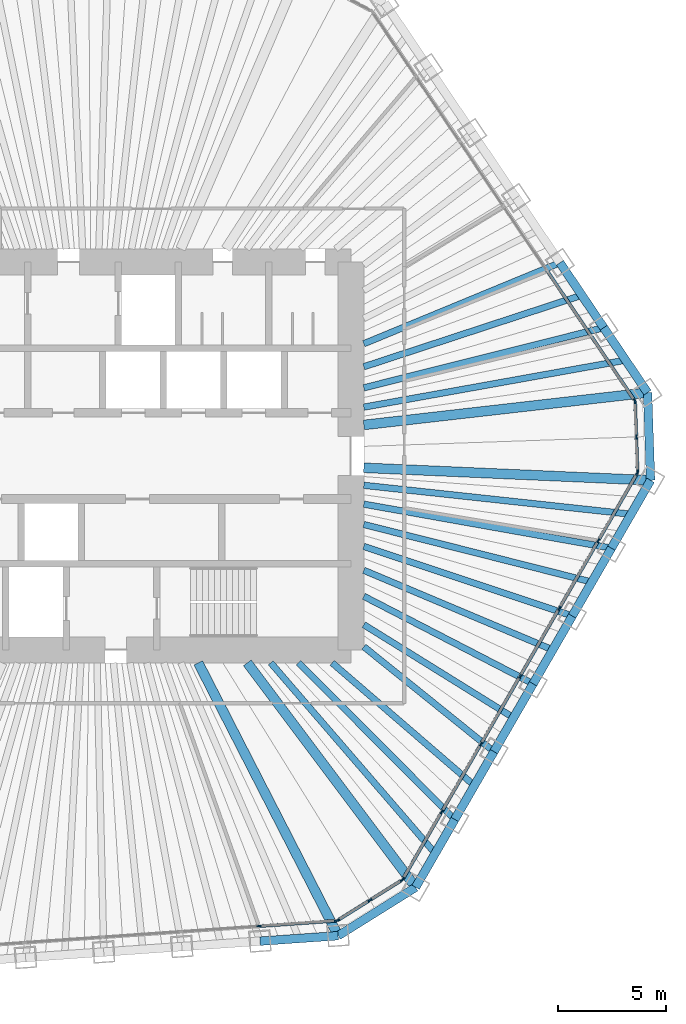
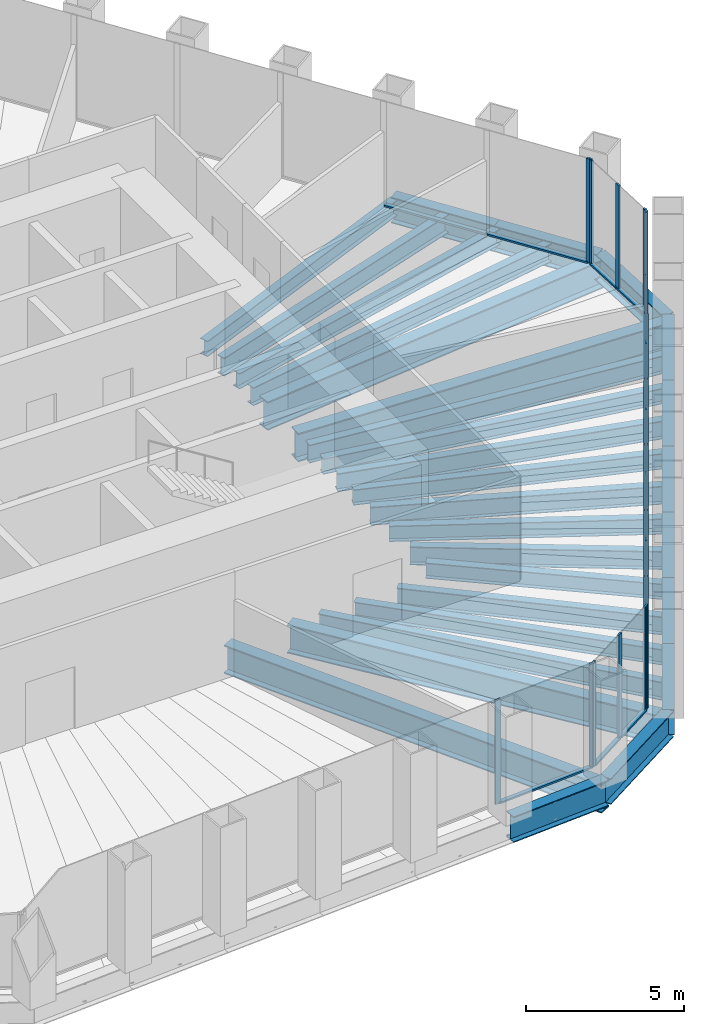
# One storey, part 4 of 13: 30 beams, 29 members, 5 elements without a shape of their own.
"""IFC4 building model written with IfcOpenShell, lengths in metres."""

from ifc_helpers import new_model, si_unit, direction, frame, origin, origin_2d, place, context, subcontext, project, spatial, rectangle, i_section, extrude, material, material_profile, profile_set, type_object, element, aggregate, save


model = new_model("IFC4")

# Units and contexts
model_context = context("Model", 3, precision=1e-05, world=origin(), true_north=direction((0.0, 1.0)))
body_context = subcontext(model_context, "Body", "Model", "MODEL_VIEW")
ifc_project = project(units=[si_unit("LENGTHUNIT", "METRE"), si_unit("AREAUNIT", "SQUARE_METRE"), si_unit("VOLUMEUNIT", "CUBIC_METRE"), si_unit("PLANEANGLEUNIT", "RADIAN"), si_unit("MASSUNIT", "GRAM", prefix="KILO")], contexts=[model_context])

# Site, building, storey
site_placement = place(None, origin())
site = spatial("IfcSite", under=ifc_project, at=site_placement, CompositionType="ELEMENT")
building_placement = place(site_placement, origin())
building = spatial("IfcBuilding", under=site, at=building_placement, Name="Qingtian Harvest Tower", CompositionType="ELEMENT")
storey_placement = place(building_placement, frame((0.0, 0.0, 247.60009765625)))
storey = spatial("IfcBuildingStorey", under=building, at=storey_placement, Name="L54", CompositionType="ELEMENT", Elevation=247.60009765625)

# Beams
ifc_material_1 = material(Name="Steel SM570MC", Category="steel")
ifc_material_profile_1 = material_profile(ifc_material_1, i_section(OverallWidth=0.449951171875, OverallDepth=1.10009765625, WebThickness=0.02197265625, FlangeThickness=0.044921875, at=origin_2d()), Name="H1100x450x22x45")
ifc_profile_set_1 = profile_set([ifc_material_profile_1], Name="Steel SM570MC")
beam_type_1 = type_object("IfcBeamType", Name="Corner floor beam FB8 H1100x450x22x45", PredefinedType="BEAM", material=ifc_profile_set_1)
beam_1_placement = place(storey_placement, frame((25.762451171875, 2.936279296875, -0.72021484375), z_axis=(-0.993566901619, -0.113246686522, 0.0), x_axis=(0.113246686522, -0.993566901619, 0.0)))
element("IfcBeam", 1, at=beam_1_placement, inside=storey, type_object=beam_type_1, Name="Floor beam FB8 NE6", PredefinedType="BEAM", context=body_context, shape_type="SweptSolid", body=[
    extrude(i_section(OverallWidth=0.449951171875, OverallDepth=1.10009765625, WebThickness=0.02197265625, FlangeThickness=0.044921875, at=origin_2d()), origin(), (0.0, 0.0, 1.0), 13.24755859375),
])
beam_2_placement = place(storey_placement, frame((25.904541015625, -1.1318359375, -0.72021484375), z_axis=(-0.999046865424, 0.043650437408, 0.0), x_axis=(-0.043650437408, -0.999046865424, 0.0)))
element("IfcBeam", 2, at=beam_2_placement, inside=storey, type_object=beam_type_1, Name="Floor beam FB8 SE0", PredefinedType="BEAM", context=body_context, shape_type="SweptSolid", body=[
    extrude(i_section(OverallWidth=0.449951171875, OverallDepth=1.10009765625, WebThickness=0.02197265625, FlangeThickness=0.044921875, at=origin_2d()), origin(), (0.0, 0.0, 1.0), 13.317138671875),
])
beam_3_placement = place(storey_placement, frame((15.00390625, -20.012451171875, -0.72021484375), z_axis=(-0.599858913609, 0.800105795357, 0.0), x_axis=(-0.800105795357, -0.599858913609, 0.0)))
element("IfcBeam", 3, at=beam_3_placement, inside=storey, type_object=beam_type_1, Name="Floor beam FB8 SE6", PredefinedType="BEAM", context=body_context, shape_type="SweptSolid", body=[
    extrude(i_section(OverallWidth=0.449951171875, OverallDepth=1.10009765625, WebThickness=0.02197265625, FlangeThickness=0.044921875, at=origin_2d()), origin(), (0.0, 0.0, 1.0), 13.013671875),
])
beam_4_placement = place(storey_placement, frame((11.40966796875, -22.25830078125, -0.72021484375), z_axis=(-0.456157396608, 0.889899111989, 0.0), x_axis=(-0.889899111989, -0.456157396608, 0.0)))
element("IfcBeam", 4, at=beam_4_placement, inside=storey, type_object=beam_type_1, Name="Floor beam FB8 S0", PredefinedType="BEAM", context=body_context, shape_type="SweptSolid", body=[
    extrude(i_section(OverallWidth=0.449951171875, OverallDepth=1.10009765625, WebThickness=0.02197265625, FlangeThickness=0.044921875, at=origin_2d()), origin(), (0.0, 0.0, 1.0), 14.224365234375),
])
ifc_material_2 = material(Name="Steel SN490B", Category="steel")
ifc_material_profile_2 = material_profile(ifc_material_2, i_section(OverallWidth=0.300048828125, OverallDepth=0.60009765625, WebThickness=0.011962890625, FlangeThickness=0.02001953125, at=origin_2d()), Name="H600x300x12x20")
ifc_profile_set_2 = profile_set([ifc_material_profile_2], Name="Steel SN490B")
beam_type_2 = type_object("IfcBeamType", Name="Floor beam FB3 H600x300x12x20", PredefinedType="BEAM", material=ifc_profile_set_2)
beam_5_placement = place(storey_placement, frame((21.69873046875, 8.9609375, -0.47021484375), z_axis=(-0.924281590361, -0.381711332973, 0.0), x_axis=(0.381711332973, -0.924281590361, 0.0)))
element("IfcBeam", 5, at=beam_5_placement, inside=storey, type_object=beam_type_2, Name="Floor beam FB3 NE4", PredefinedType="BEAM", context=body_context, shape_type="SweptSolid", body=[
    extrude(i_section(OverallWidth=0.300048828125, OverallDepth=0.60009765625, WebThickness=0.011962890625, FlangeThickness=0.02001953125, at=origin_2d()), origin(), (0.0, 0.0, 1.0), 9.843994140625),
])
beam_6_placement = place(storey_placement, frame((23.730712890625, 5.948486328125, -0.47021484375), z_axis=(-0.969990876487, -0.243141315972, 0.0), x_axis=(0.243141315972, -0.969990876487, 0.0)))
element("IfcBeam", 6, at=beam_6_placement, inside=storey, type_object=beam_type_2, Name="Floor beam FB3 NE5", PredefinedType="BEAM", context=body_context, shape_type="SweptSolid", body=[
    extrude(i_section(OverallWidth=0.300048828125, OverallDepth=0.60009765625, WebThickness=0.011962890625, FlangeThickness=0.02001953125, at=origin_2d()), origin(), (0.0, 0.0, 1.0), 11.474853515625),
])
beam_7_placement = place(storey_placement, frame((24.087890625, -4.27880859375, -0.47021484375), z_axis=(-0.98458469654, 0.174908477034, 0.0), x_axis=(-0.174908477034, -0.98458469654, 0.0)))
element("IfcBeam", 7, at=beam_7_placement, inside=storey, type_object=beam_type_2, Name="Floor beam FB3 SE1", PredefinedType="BEAM", context=body_context, shape_type="SweptSolid", body=[
    extrude(i_section(OverallWidth=0.300048828125, OverallDepth=0.60009765625, WebThickness=0.011962890625, FlangeThickness=0.02001953125, at=origin_2d()), origin(), (0.0, 0.0, 1.0), 11.667724609375),
])
beam_8_placement = place(storey_placement, frame((22.27099609375, -7.425537109375, -0.47021484375), z_axis=(-0.948654555734, 0.316313979908, 0.0), x_axis=(-0.316313979908, -0.948654555734, 0.0)))
element("IfcBeam", 8, at=beam_8_placement, inside=storey, type_object=beam_type_2, Name="Floor beam FB3 SE2", PredefinedType="BEAM", context=body_context, shape_type="SweptSolid", body=[
    extrude(i_section(OverallWidth=0.300048828125, OverallDepth=0.60009765625, WebThickness=0.011962890625, FlangeThickness=0.02001953125, at=origin_2d()), origin(), (0.0, 0.0, 1.0), 10.1943359375),
])
beam_9_placement = place(storey_placement, frame((20.454345703125, -10.572265625, -0.47021484375), z_axis=(-0.888343501027, 0.459179511938, 0.0), x_axis=(-0.459179511938, -0.888343501027, 0.0)))
element("IfcBeam", 9, at=beam_9_placement, inside=storey, type_object=beam_type_2, Name="Floor beam FB3 SE3", PredefinedType="BEAM", context=body_context, shape_type="SweptSolid", body=[
    extrude(i_section(OverallWidth=0.300048828125, OverallDepth=0.60009765625, WebThickness=0.011962890625, FlangeThickness=0.02001953125, at=origin_2d()), origin(), (0.0, 0.0, 1.0), 8.841552734375),
])
beam_10_placement = place(storey_placement, frame((18.637451171875, -13.718994140625, -0.47021484375), z_axis=(-0.77840907003, 0.62775737327, 0.0), x_axis=(-0.62775737327, -0.77840907003, 0.0)))
element("IfcBeam", 10, at=beam_10_placement, inside=storey, type_object=beam_type_2, Name="Floor beam FB3 SE4", PredefinedType="BEAM", context=body_context, shape_type="SweptSolid", body=[
    extrude(i_section(OverallWidth=0.300048828125, OverallDepth=0.60009765625, WebThickness=0.011962890625, FlangeThickness=0.02001953125, at=origin_2d()), origin(), (0.0, 0.0, 1.0), 7.756103515625),
])
beam_11_placement = place(storey_placement, frame((16.82080078125, -16.86572265625, -0.47021484375), z_axis=(-0.70616637797, 0.708045935392, 0.0), x_axis=(-0.708045935392, -0.70616637797, 0.0)))
element("IfcBeam", 11, at=beam_11_placement, inside=storey, type_object=beam_type_2, Name="Floor beam FB3 SE5", PredefinedType="BEAM", context=body_context, shape_type="SweptSolid", body=[
    extrude(i_section(OverallWidth=0.300048828125, OverallDepth=0.60009765625, WebThickness=0.011962890625, FlangeThickness=0.02001953125, at=origin_2d()), origin(), (0.0, 0.0, 1.0), 10.261474609375),
])
ifc_material_3 = material(Name="Steel SN490B", Category="steel")
ifc_material_profile_3 = material_profile(ifc_material_3, i_section(OverallWidth=0.300048828125, OverallDepth=0.699951171875, WebThickness=0.012939453125, FlangeThickness=0.02392578125, at=origin_2d()), Name="H700x300x13x24")
ifc_profile_set_3 = profile_set([ifc_material_profile_3], Name="Steel SN490B")
beam_type_3 = type_object("IfcBeamType", Name="Floor joist J2 H700x300x13x24", PredefinedType="JOIST", material=ifc_profile_set_3)
beam_12_placement = place(storey_placement, frame((22.71484375, 7.454833984375, -0.52001953125), z_axis=(-0.950138567513, -0.311828001508, 0.0), x_axis=(0.311828001508, -0.950138567513, 0.0)))
element("IfcBeam", 12, at=beam_12_placement, inside=storey, type_object=beam_type_3, Name="Floor joist J2 NE4", PredefinedType="JOIST", context=body_context, shape_type="SweptSolid", body=[
    extrude(i_section(OverallWidth=0.300048828125, OverallDepth=0.699951171875, WebThickness=0.012939453125, FlangeThickness=0.02392578125, at=origin_2d()), origin(), (0.0, 0.0, 1.0), 10.6455078125),
])
beam_13_placement = place(storey_placement, frame((24.74658203125, 4.4423828125, -0.52001953125), z_axis=(-0.98426723745, -0.176686177393, 0.0), x_axis=(0.176686177393, -0.98426723745, 0.0)))
element("IfcBeam", 13, at=beam_13_placement, inside=storey, type_object=beam_type_3, Name="Floor joist J2 NE5", PredefinedType="JOIST", context=body_context, shape_type="SweptSolid", body=[
    extrude(i_section(OverallWidth=0.300048828125, OverallDepth=0.699951171875, WebThickness=0.012939453125, FlangeThickness=0.02392578125, at=origin_2d()), origin(), (0.0, 0.0, 1.0), 12.340576171875),
])
beam_14_placement = place(storey_placement, frame((24.99609375, -2.705322265625, -0.52001953125), z_axis=(-0.994194656298, 0.107596400448, 0.0), x_axis=(-0.107596400448, -0.994194656298, 0.0)))
element("IfcBeam", 14, at=beam_14_placement, inside=storey, type_object=beam_type_3, Name="Floor joist J2 SE0", PredefinedType="JOIST", context=body_context, shape_type="SweptSolid", body=[
    extrude(i_section(OverallWidth=0.300048828125, OverallDepth=0.699951171875, WebThickness=0.012939453125, FlangeThickness=0.02392578125, at=origin_2d()), origin(), (0.0, 0.0, 1.0), 12.46826171875),
])
beam_15_placement = place(storey_placement, frame((23.179443359375, -5.85205078125, -0.52001953125), z_axis=(-0.969577887027, 0.244783007963, 0.0), x_axis=(-0.244783007963, -0.969577887027, 0.0)))
element("IfcBeam", 15, at=beam_15_placement, inside=storey, type_object=beam_type_3, Name="Floor joist J2 SE1", PredefinedType="JOIST", context=body_context, shape_type="SweptSolid", body=[
    extrude(i_section(OverallWidth=0.300048828125, OverallDepth=0.699951171875, WebThickness=0.012939453125, FlangeThickness=0.02392578125, at=origin_2d()), origin(), (0.0, 0.0, 1.0), 10.911376953125),
])
beam_16_placement = place(storey_placement, frame((21.362548828125, -8.998779296875, -0.52001953125), z_axis=(-0.921571079516, 0.388209666803, 0.0), x_axis=(-0.388209666803, -0.921571079516, 0.0)))
element("IfcBeam", 16, at=beam_16_placement, inside=storey, type_object=beam_type_3, Name="Floor joist J2 SE2", PredefinedType="JOIST", context=body_context, shape_type="SweptSolid", body=[
    extrude(i_section(OverallWidth=0.300048828125, OverallDepth=0.699951171875, WebThickness=0.012939453125, FlangeThickness=0.02392578125, at=origin_2d()), origin(), (0.0, 0.0, 1.0), 9.508056640625),
])
beam_17_placement = place(storey_placement, frame((19.5458984375, -12.1455078125, -0.52001953125), z_axis=(-0.849380822906, 0.527780463526, 0.0), x_axis=(-0.527780463526, -0.849380822906, 0.0)))
element("IfcBeam", 17, at=beam_17_placement, inside=storey, type_object=beam_type_3, Name="Floor joist J2 SE3", PredefinedType="JOIST", context=body_context, shape_type="SweptSolid", body=[
    extrude(i_section(OverallWidth=0.300048828125, OverallDepth=0.699951171875, WebThickness=0.012939453125, FlangeThickness=0.02392578125, at=origin_2d()), origin(), (0.0, 0.0, 1.0), 8.177490234375),
])
beam_18_placement = place(storey_placement, frame((17.72900390625, -15.292236328125, -0.52001953125), z_axis=(-0.757237954988, 0.653139096613, 0.0), x_axis=(-0.653139096613, -0.757237954988, 0.0)))
element("IfcBeam", 18, at=beam_18_placement, inside=storey, type_object=beam_type_3, Name="Floor joist J2 SE4", PredefinedType="JOIST", context=body_context, shape_type="SweptSolid", body=[
    extrude(i_section(OverallWidth=0.300048828125, OverallDepth=0.699951171875, WebThickness=0.012939453125, FlangeThickness=0.02392578125, at=origin_2d()), origin(), (0.0, 0.0, 1.0), 8.715087890625),
])
beam_19_placement = place(storey_placement, frame((15.912353515625, -18.43896484375, -0.52001953125), z_axis=(-0.653343257086, 0.757061812813, 0.0), x_axis=(-0.757061812813, -0.653343257086, 0.0)))
element("IfcBeam", 19, at=beam_19_placement, inside=storey, type_object=beam_type_3, Name="Floor joist J2 SE5", PredefinedType="JOIST", context=body_context, shape_type="SweptSolid", body=[
    extrude(i_section(OverallWidth=0.300048828125, OverallDepth=0.699951171875, WebThickness=0.012939453125, FlangeThickness=0.02392578125, at=origin_2d()), origin(), (0.0, 0.0, 1.0), 11.67529296875),
])

# Curtain wall, member
ifc_material_4 = material(Name="Bronze-anodised aluminium curtain wall", Category="aluminium")
curtain_wall_type = type_object("IfcCurtainWallType", Name="Curtain wall CW4 office", PredefinedType="USERDEFINED", material=ifc_material_4)
curtain_wall_1_placement = place(storey_placement, origin())
curtain_wall_1 = element("IfcCurtainWall", 20, at=curtain_wall_1_placement, inside=storey, type_object=curtain_wall_type, Name="Curtain wall CW4 L54 NE0-5", ObjectType="RECESSED CURTAIN WALL", PredefinedType="USERDEFINED")
ifc_material_5 = material(Name="Bronze-anodised aluminium mullion", Category="aluminium")
ifc_material_profile_4 = material_profile(ifc_material_5, rectangle(XDim=0.06494140625, YDim=0.199951171875, at=origin_2d()), Name="AL 65x200")
ifc_profile_set_4 = profile_set([ifc_material_profile_4], Name="Bronze-anodised aluminium mullion")
member_type_1 = type_object("IfcMemberType", Name="Mullion CWM 65x200", PredefinedType="MULLION", material=ifc_profile_set_4)
member_1_placement = place(storey_placement, frame((25.1640625, 2.57177734375, 0.0), z_axis=(0.0, 0.0, 1.0), x_axis=(0.829037572555, 0.559192903471, 0.0)))
member_1 = element("IfcMember", 21, at=member_1_placement, type_object=member_type_1, Name="CW4 mullion 7", PredefinedType="MULLION", context=body_context, shape_type="SweptSolid", body=[
    extrude(rectangle(XDim=0.06494140625, YDim=0.199951171875, at=origin_2d()), origin(), (0.0, 0.0, 1.0), 4.02978515625),
])

# Curtain wall, members
curtain_wall_2_placement = place(storey_placement, origin())
curtain_wall_2 = element("IfcCurtainWall", 22, at=curtain_wall_2_placement, inside=storey, type_object=curtain_wall_type, Name="Curtain wall CW4 L54 NEC", ObjectType="RECESSED CURTAIN WALL", PredefinedType="USERDEFINED")
member_2_placement = place(storey_placement, frame((25.183349609375, 2.51220703125, 0.0), z_axis=(0.0, 0.0, 1.0), x_axis=(0.999390827019, 0.034899496703, 0.0)))
member_2 = element("IfcMember", 23, at=member_2_placement, type_object=member_type_1, Name="CW4 mullion 1", PredefinedType="MULLION", context=body_context, shape_type="SweptSolid", body=[
    extrude(rectangle(XDim=0.06494140625, YDim=0.199951171875, at=origin_2d()), origin(), (0.0, 0.0, 1.0), 4.02978515625),
])
member_3_placement = place(storey_placement, frame((25.240234375, 0.88134765625, 0.0), z_axis=(0.0, 0.0, 1.0), x_axis=(0.999390827019, 0.034899496703, 0.0)))
member_3 = element("IfcMember", 24, at=member_3_placement, type_object=member_type_1, Name="CW4 mullion 2", PredefinedType="MULLION", context=body_context, shape_type="SweptSolid", body=[
    extrude(rectangle(XDim=0.06494140625, YDim=0.199951171875, at=origin_2d()), origin(), (0.0, 0.0, 1.0), 4.02978515625),
])
member_4_placement = place(storey_placement, frame((25.297119140625, -0.74951171875, 0.0), z_axis=(0.0, 0.0, 1.0), x_axis=(0.999390827019, 0.034899496703, 0.0)))
member_4 = element("IfcMember", 25, at=member_4_placement, type_object=member_type_1, Name="CW4 mullion 3", PredefinedType="MULLION", context=body_context, shape_type="SweptSolid", body=[
    extrude(rectangle(XDim=0.06494140625, YDim=0.199951171875, at=origin_2d()), origin(), (0.0, 0.0, 1.0), 4.02978515625),
])

curtain_wall_3_placement = place(storey_placement, origin())
curtain_wall_3 = element("IfcCurtainWall", 26, at=curtain_wall_3_placement, inside=storey, type_object=curtain_wall_type, Name="Curtain wall CW4 L54 SE0-5", ObjectType="RECESSED CURTAIN WALL", PredefinedType="USERDEFINED")
member_5_placement = place(storey_placement, frame((25.2822265625, -0.81005859375, 0.0), z_axis=(0.0, 0.0, 1.0), x_axis=(0.866025403784, -0.5, 0.0)))
member_5 = element("IfcMember", 27, at=member_5_placement, type_object=member_type_1, Name="CW4 mullion 1", PredefinedType="MULLION", context=body_context, shape_type="SweptSolid", body=[
    extrude(rectangle(XDim=0.06494140625, YDim=0.199951171875, at=origin_2d()), origin(), (0.0, 0.0, 1.0), 4.02978515625),
])
member_6_placement = place(storey_placement, frame((23.481689453125, -3.9287109375, 0.0), z_axis=(0.0, 0.0, 1.0), x_axis=(0.866025403784, -0.5, 0.0)))
member_6 = element("IfcMember", 28, at=member_6_placement, type_object=member_type_1, Name="CW4 mullion 2", PredefinedType="MULLION", context=body_context, shape_type="SweptSolid", body=[
    extrude(rectangle(XDim=0.06494140625, YDim=0.199951171875, at=origin_2d()), origin(), (0.0, 0.0, 1.0), 4.02978515625),
])
member_7_placement = place(storey_placement, frame((21.664794921875, -7.075439453125, 0.0), z_axis=(0.0, 0.0, 1.0), x_axis=(0.866025403784, -0.5, 0.0)))
member_7 = element("IfcMember", 29, at=member_7_placement, type_object=member_type_1, Name="CW4 mullion 3", PredefinedType="MULLION", context=body_context, shape_type="SweptSolid", body=[
    extrude(rectangle(XDim=0.06494140625, YDim=0.199951171875, at=origin_2d()), origin(), (0.0, 0.0, 1.0), 4.02978515625),
])
member_8_placement = place(storey_placement, frame((19.84814453125, -10.22216796875, 0.0), z_axis=(0.0, 0.0, 1.0), x_axis=(0.866025403784, -0.5, 0.0)))
member_8 = element("IfcMember", 30, at=member_8_placement, type_object=member_type_1, Name="CW4 mullion 4", PredefinedType="MULLION", context=body_context, shape_type="SweptSolid", body=[
    extrude(rectangle(XDim=0.06494140625, YDim=0.199951171875, at=origin_2d()), origin(), (0.0, 0.0, 1.0), 4.02978515625),
])
member_9_placement = place(storey_placement, frame((18.03125, -13.368896484375, 0.0), z_axis=(0.0, 0.0, 1.0), x_axis=(0.866025403784, -0.5, 0.0)))
member_9 = element("IfcMember", 31, at=member_9_placement, type_object=member_type_1, Name="CW4 mullion 5", PredefinedType="MULLION", context=body_context, shape_type="SweptSolid", body=[
    extrude(rectangle(XDim=0.06494140625, YDim=0.199951171875, at=origin_2d()), origin(), (0.0, 0.0, 1.0), 4.02978515625),
])
member_10_placement = place(storey_placement, frame((16.214599609375, -16.515625, 0.0), z_axis=(0.0, 0.0, 1.0), x_axis=(0.866025403784, -0.5, 0.0)))
member_10 = element("IfcMember", 32, at=member_10_placement, type_object=member_type_1, Name="CW4 mullion 6", PredefinedType="MULLION", context=body_context, shape_type="SweptSolid", body=[
    extrude(rectangle(XDim=0.06494140625, YDim=0.199951171875, at=origin_2d()), origin(), (0.0, 0.0, 1.0), 4.02978515625),
])
member_11_placement = place(storey_placement, frame((14.4140625, -19.63427734375, 0.0), z_axis=(0.0, 0.0, 1.0), x_axis=(0.866025403784, -0.5, 0.0)))
member_11 = element("IfcMember", 33, at=member_11_placement, type_object=member_type_1, Name="CW4 mullion 7", PredefinedType="MULLION", context=body_context, shape_type="SweptSolid", body=[
    extrude(rectangle(XDim=0.06494140625, YDim=0.199951171875, at=origin_2d()), origin(), (0.0, 0.0, 1.0), 4.02978515625),
])

curtain_wall_4_placement = place(storey_placement, origin())
curtain_wall_4 = element("IfcCurtainWall", 34, at=curtain_wall_4_placement, inside=storey, type_object=curtain_wall_type, Name="Curtain wall CW4 L54 SEC", ObjectType="RECESSED CURTAIN WALL", PredefinedType="USERDEFINED")
member_12_placement = place(storey_placement, frame((14.3701171875, -19.6796875, 0.0), z_axis=(0.0, 0.0, 1.0), x_axis=(0.529919264233, -0.848048096156, 0.0)))
member_12 = element("IfcMember", 35, at=member_12_placement, type_object=member_type_1, Name="CW4 mullion 1", PredefinedType="MULLION", context=body_context, shape_type="SweptSolid", body=[
    extrude(rectangle(XDim=0.06494140625, YDim=0.199951171875, at=origin_2d()), origin(), (0.0, 0.0, 1.0), 4.02978515625),
])
member_13_placement = place(storey_placement, frame((12.87939453125, -20.611328125, 0.0), z_axis=(0.0, 0.0, 1.0), x_axis=(0.529919264233, -0.848048096156, 0.0)))
member_13 = element("IfcMember", 36, at=member_13_placement, type_object=member_type_1, Name="CW4 mullion 2", PredefinedType="MULLION", context=body_context, shape_type="SweptSolid", body=[
    extrude(rectangle(XDim=0.06494140625, YDim=0.199951171875, at=origin_2d()), origin(), (0.0, 0.0, 1.0), 4.02978515625),
])
member_14_placement = place(storey_placement, frame((11.388427734375, -21.542724609375, 0.0), z_axis=(0.0, 0.0, 1.0), x_axis=(0.529919264233, -0.848048096156, 0.0)))
member_14 = element("IfcMember", 37, at=member_14_placement, type_object=member_type_1, Name="CW4 mullion 3", PredefinedType="MULLION", context=body_context, shape_type="SweptSolid", body=[
    extrude(rectangle(XDim=0.06494140625, YDim=0.199951171875, at=origin_2d()), origin(), (0.0, 0.0, 1.0), 4.02978515625),
])

curtain_wall_5_placement = place(storey_placement, origin())
curtain_wall_5 = element("IfcCurtainWall", 38, at=curtain_wall_5_placement, inside=storey, type_object=curtain_wall_type, Name="Curtain wall CW4 L54 S0-5", ObjectType="RECESSED CURTAIN WALL", PredefinedType="USERDEFINED")
member_15_placement = place(storey_placement, frame((11.32861328125, -21.562255859375, 0.0), z_axis=(0.0, 0.0, 1.0), x_axis=(0.069756473744, -0.99756405026, 0.0)))
member_15 = element("IfcMember", 39, at=member_15_placement, type_object=member_type_1, Name="CW4 mullion 1", PredefinedType="MULLION", context=body_context, shape_type="SweptSolid", body=[
    extrude(rectangle(XDim=0.06494140625, YDim=0.199951171875, at=origin_2d()), origin(), (0.0, 0.0, 1.0), 4.02978515625),
])
member_16_placement = place(storey_placement, frame((7.736328125, -21.8134765625, 0.0), z_axis=(0.0, 0.0, 1.0), x_axis=(0.069756473744, -0.99756405026, 0.0)))
member_16 = element("IfcMember", 40, at=member_16_placement, type_object=member_type_1, Name="CW4 mullion 2", PredefinedType="MULLION", context=body_context, shape_type="SweptSolid", body=[
    extrude(rectangle(XDim=0.06494140625, YDim=0.199951171875, at=origin_2d()), origin(), (0.0, 0.0, 1.0), 4.02978515625),
])

# Beams
ifc_material_6 = material(Name="Steel SN490B", Category="steel")
ifc_material_profile_5 = material_profile(ifc_material_6, i_section(OverallWidth=0.39990234375, OverallDepth=1.0, WebThickness=0.01904296875, FlangeThickness=0.035888671875, at=origin_2d()), Name="H1000x400x19x36")
ifc_profile_set_5 = profile_set([ifc_material_profile_5], Name="Steel SN490B")
beam_type_4 = type_object("IfcBeamType", Name="Spandrel beam SB3 H1000x400x19x36", PredefinedType="SPANDREL", material=ifc_profile_set_5)
beam_20_placement = place(storey_placement, frame((21.69873046875, 8.9609375, -0.5), z_axis=(0.55920395902, -0.829030115385, 0.0), x_axis=(0.829030115385, 0.55920395902, 0.0)))
element("IfcBeam", 41, at=beam_20_placement, inside=storey, type_object=beam_type_4, Name="Spandrel SB3 NE4", PredefinedType="SPANDREL", context=body_context, shape_type="SweptSolid", body=[
    extrude(i_section(OverallWidth=0.39990234375, OverallDepth=1.0, WebThickness=0.01904296875, FlangeThickness=0.035888671875, at=origin_2d()), origin(), (0.0, 0.0, 1.0), 3.6337890625),
])
beam_21_placement = place(storey_placement, frame((23.730712890625, 5.948486328125, -0.5), z_axis=(0.559188928021, -0.829040254016, 0.0), x_axis=(0.829040254016, 0.559188928021, 0.0)))
element("IfcBeam", 42, at=beam_21_placement, inside=storey, type_object=beam_type_4, Name="Spandrel SB3 NE5", PredefinedType="SPANDREL", context=body_context, shape_type="SweptSolid", body=[
    extrude(i_section(OverallWidth=0.39990234375, OverallDepth=1.0, WebThickness=0.01904296875, FlangeThickness=0.035888671875, at=origin_2d()), origin(), (0.0, 0.0, 1.0), 3.63330078125),
])
beam_22_placement = place(storey_placement, frame((25.762451171875, 2.936279296875, -0.5), z_axis=(0.03490639867, -0.999390585973, 0.0), x_axis=(0.999390585973, 0.03490639867, 0.0)))
element("IfcBeam", 43, at=beam_22_placement, inside=storey, type_object=beam_type_4, Name="Spandrel SB3 NEC", PredefinedType="SPANDREL", context=body_context, shape_type="SweptSolid", body=[
    extrude(i_section(OverallWidth=0.39990234375, OverallDepth=1.0, WebThickness=0.01904296875, FlangeThickness=0.035888671875, at=origin_2d()), origin(), (0.0, 0.0, 1.0), 4.070556640625),
])
beam_23_placement = place(storey_placement, frame((25.904541015625, -1.1318359375, -0.5), z_axis=(-0.499947341849, -0.866055803848, 0.0), x_axis=(0.866055803848, -0.499947341849, 0.0)))
element("IfcBeam", 44, at=beam_23_placement, inside=storey, type_object=beam_type_4, Name="Spandrel SB3 SE0", PredefinedType="SPANDREL", context=body_context, shape_type="SweptSolid", body=[
    extrude(i_section(OverallWidth=0.39990234375, OverallDepth=1.0, WebThickness=0.01904296875, FlangeThickness=0.035888671875, at=origin_2d()), origin(), (0.0, 0.0, 1.0), 3.6337890625),
])
for number, where, z_axis, x_axis, name in (
    (45, (24.087890625, -4.27880859375, -0.5), (-0.500026827678, -0.866009914263, 0.0), (0.866009914263, -0.500026827678, 0.0), "Spandrel SB3 SE1"),
    (46, (22.27099609375, -7.425537109375, -0.5), (-0.499976434558, -0.866039008871, 0.0), (0.866039008871, -0.499976434558, 0.0), "Spandrel SB3 SE2"),
    (47, (20.454345703125, -10.572265625, -0.5), (-0.500026827678, -0.866009914263, 0.0), (0.866009914263, -0.500026827678, 0.0), "Spandrel SB3 SE3"),
    (48, (18.637451171875, -13.718994140625, -0.5), (-0.499976434558, -0.866039008871, 0.0), (0.866039008871, -0.499976434558, 0.0), "Spandrel SB3 SE4"),
    (49, (16.82080078125, -16.86572265625, -0.5), (-0.500026827678, -0.866009914263, 0.0), (0.866009914263, -0.500026827678, 0.0), "Spandrel SB3 SE5"),
):
    element("IfcBeam", number, at=place(storey_placement, frame(where, z_axis=z_axis, x_axis=x_axis)), inside=storey, type_object=beam_type_4, Name=name, PredefinedType="SPANDREL", context=body_context, shape_type="SweptSolid", body=[
        extrude(i_section(OverallWidth=0.39990234375, OverallDepth=1.0, WebThickness=0.01904296875, FlangeThickness=0.035888671875, at=origin_2d()), origin(), (0.0, 0.0, 1.0), 3.633544921875),
    ])
beam_24_placement = place(storey_placement, frame((15.00390625, -20.012451171875, -0.5), z_axis=(-0.848056550838, -0.529905733675, 0.0), x_axis=(0.529905733675, -0.848056550838, 0.0)))
element("IfcBeam", 50, at=beam_24_placement, inside=storey, type_object=beam_type_4, Name="Spandrel SB3 SEC", PredefinedType="SPANDREL", context=body_context, shape_type="SweptSolid", body=[
    extrude(i_section(OverallWidth=0.39990234375, OverallDepth=1.0, WebThickness=0.01904296875, FlangeThickness=0.035888671875, at=origin_2d()), origin(), (0.0, 0.0, 1.0), 4.23828125),
])
beam_25_placement = place(storey_placement, frame((11.40966796875, -22.25830078125, -0.5), z_axis=(-0.997564674207, -0.069747550305, 0.0), x_axis=(0.069747550305, -0.997564674207, 0.0)))
element("IfcBeam", 51, at=beam_25_placement, inside=storey, type_object=beam_type_4, Name="Spandrel SB3 S0", PredefinedType="SPANDREL", context=body_context, shape_type="SweptSolid", body=[
    extrude(i_section(OverallWidth=0.39990234375, OverallDepth=1.0, WebThickness=0.01904296875, FlangeThickness=0.035888671875, at=origin_2d()), origin(), (0.0, 0.0, 1.0), 3.63330078125),
])

# Member
ifc_material_7 = material(Name="Bronze-anodised aluminium transom", Category="aluminium")
ifc_material_profile_6 = material_profile(ifc_material_7, rectangle(XDim=0.14990234375, YDim=0.06494140625, at=origin_2d()), Name="AL 65x150")
ifc_profile_set_6 = profile_set([ifc_material_profile_6], Name="Bronze-anodised aluminium transom")
member_type_2 = type_object("IfcMemberType", Name="Transom CWT 65x150", PredefinedType="USERDEFINED", material=ifc_profile_set_6)
member_17_placement = place(storey_placement, frame((21.13671875, 8.54248046875, 0.032470703125), z_axis=(0.559160259871, -0.829059590006, 0.0), x_axis=(0.829059590006, 0.559160259871, 0.0)))
member_17 = element("IfcMember", 52, at=member_17_placement, type_object=member_type_2, Name="CW4 transom 5.1", ObjectType="TRANSOM", PredefinedType="USERDEFINED", context=body_context, shape_type="SweptSolid", body=[
    extrude(rectangle(XDim=0.14990234375, YDim=0.06494140625, at=origin_2d()), origin(), (0.0, 0.0, 1.0), 3.568603515625),
])

member_18_placement = place(storey_placement, frame((23.16845703125, 5.5302734375, 0.032470703125), z_axis=(0.559169259008, -0.829053520456, 0.0), x_axis=(0.829053520456, 0.559169259008, 0.0)))
member_18 = element("IfcMember", 53, at=member_18_placement, type_object=member_type_2, Name="CW4 transom 6.1", ObjectType="TRANSOM", PredefinedType="USERDEFINED", context=body_context, shape_type="SweptSolid", body=[
    extrude(rectangle(XDim=0.14990234375, YDim=0.06494140625, at=origin_2d()), origin(), (0.0, 0.0, 1.0), 3.5361328125),
])

aggregate(curtain_wall_1, [member_1, member_17, member_18])

member_19_placement = place(storey_placement, frame((25.1845703125, 2.479736328125, 0.032470703125), z_axis=(0.034902326647, -0.999390728191, 0.0), x_axis=(0.999390728191, 0.034902326647, 0.0)))
member_19 = element("IfcMember", 54, at=member_19_placement, type_object=member_type_2, Name="CW4 transom 1.1", ObjectType="TRANSOM", PredefinedType="USERDEFINED", context=body_context, shape_type="SweptSolid", body=[
    extrude(rectangle(XDim=0.14990234375, YDim=0.06494140625, at=origin_2d()), origin(), (0.0, 0.0, 1.0), 1.56689453125),
])

member_20_placement = place(storey_placement, frame((25.241455078125, 0.848876953125, 0.032470703125), z_axis=(0.034902326647, -0.999390728191, 0.0), x_axis=(0.999390728191, 0.034902326647, 0.0)))
member_20 = element("IfcMember", 55, at=member_20_placement, type_object=member_type_2, Name="CW4 transom 2.1", ObjectType="TRANSOM", PredefinedType="USERDEFINED", context=body_context, shape_type="SweptSolid", body=[
    extrude(rectangle(XDim=0.14990234375, YDim=0.06494140625, at=origin_2d()), origin(), (0.0, 0.0, 1.0), 1.56689453125),
])

aggregate(curtain_wall_2, [member_2, member_3, member_4, member_19, member_20])

member_21_placement = place(storey_placement, frame((25.265869140625, -0.838134765625, 0.032470703125), z_axis=(-0.499985409597, -0.866033827394, 0.0), x_axis=(0.866033827394, -0.499985409597, 0.0)))
member_21 = element("IfcMember", 56, at=member_21_placement, type_object=member_type_2, Name="CW4 transom 1.1", ObjectType="TRANSOM", PredefinedType="USERDEFINED", context=body_context, shape_type="SweptSolid", body=[
    extrude(rectangle(XDim=0.14990234375, YDim=0.06494140625, at=origin_2d()), origin(), (0.0, 0.0, 1.0), 3.5361328125),
])

member_22_placement = place(storey_placement, frame((23.46533203125, -3.956787109375, 0.032470703125), z_axis=(-0.499965259726, -0.866045460162, 0.0), x_axis=(0.866045460162, -0.499965259726, 0.0)))
member_22 = element("IfcMember", 57, at=member_22_placement, type_object=member_type_2, Name="CW4 transom 2.1", ObjectType="TRANSOM", PredefinedType="USERDEFINED", context=body_context, shape_type="SweptSolid", body=[
    extrude(rectangle(XDim=0.14990234375, YDim=0.06494140625, at=origin_2d()), origin(), (0.0, 0.0, 1.0), 3.568603515625),
])

member_23_placement = place(storey_placement, frame((21.648681640625, -7.103515625, 0.032470703125), z_axis=(-0.500016569533, -0.866015837149, 0.0), x_axis=(0.866015837149, -0.500016569533, 0.0)))
member_23 = element("IfcMember", 58, at=member_23_placement, type_object=member_type_2, Name="CW4 transom 3.1", ObjectType="TRANSOM", PredefinedType="USERDEFINED", context=body_context, shape_type="SweptSolid", body=[
    extrude(rectangle(XDim=0.14990234375, YDim=0.06494140625, at=origin_2d()), origin(), (0.0, 0.0, 1.0), 3.56884765625),
])

member_24_placement = place(storey_placement, frame((19.831787109375, -10.250244140625, 0.032470703125), z_axis=(-0.499965259726, -0.866045460162, 0.0), x_axis=(0.866045460162, -0.499965259726, 0.0)))
member_24 = element("IfcMember", 59, at=member_24_placement, type_object=member_type_2, Name="CW4 transom 4.1", ObjectType="TRANSOM", PredefinedType="USERDEFINED", context=body_context, shape_type="SweptSolid", body=[
    extrude(rectangle(XDim=0.14990234375, YDim=0.06494140625, at=origin_2d()), origin(), (0.0, 0.0, 1.0), 3.568603515625),
])

member_25_placement = place(storey_placement, frame((18.014892578125, -13.39697265625, 0.032470703125), z_axis=(-0.499965259726, -0.866045460162, 0.0), x_axis=(0.866045460162, -0.499965259726, 0.0)))
member_25 = element("IfcMember", 60, at=member_25_placement, type_object=member_type_2, Name="CW4 transom 5.1", ObjectType="TRANSOM", PredefinedType="USERDEFINED", context=body_context, shape_type="SweptSolid", body=[
    extrude(rectangle(XDim=0.14990234375, YDim=0.06494140625, at=origin_2d()), origin(), (0.0, 0.0, 1.0), 3.568603515625),
])

member_26_placement = place(storey_placement, frame((16.1982421875, -16.5439453125, 0.032470703125), z_axis=(-0.500015305566, -0.866016566931, 0.0), x_axis=(0.866016566931, -0.500015305566, 0.0)))
member_26 = element("IfcMember", 61, at=member_26_placement, type_object=member_type_2, Name="CW4 transom 6.1", ObjectType="TRANSOM", PredefinedType="USERDEFINED", context=body_context, shape_type="SweptSolid", body=[
    extrude(rectangle(XDim=0.14990234375, YDim=0.06494140625, at=origin_2d()), origin(), (0.0, 0.0, 1.0), 3.5361328125),
])

aggregate(curtain_wall_3, [member_5, member_6, member_7, member_8, member_9, member_10, member_11, member_21, member_22, member_23, member_24, member_25, member_26])

member_27_placement = place(storey_placement, frame((14.342529296875, -19.69677734375, 0.032470703125), z_axis=(-0.847998304005, -0.529998940003, 0.0), x_axis=(0.529998940003, -0.847998304005, 0.0)))
member_27 = element("IfcMember", 62, at=member_27_placement, type_object=member_type_2, Name="CW4 transom 1.1", ObjectType="TRANSOM", PredefinedType="USERDEFINED", context=body_context, shape_type="SweptSolid", body=[
    extrude(rectangle(XDim=0.14990234375, YDim=0.06494140625, at=origin_2d()), origin(), (0.0, 0.0, 1.0), 1.69287109375),
])

member_28_placement = place(storey_placement, frame((12.851806640625, -20.62841796875, 0.032470703125), z_axis=(-0.84803880708, -0.529934129573, 0.0), x_axis=(0.529934129573, -0.84803880708, 0.0)))
member_28 = element("IfcMember", 63, at=member_28_placement, type_object=member_type_2, Name="CW4 transom 2.1", ObjectType="TRANSOM", PredefinedType="USERDEFINED", context=body_context, shape_type="SweptSolid", body=[
    extrude(rectangle(XDim=0.14990234375, YDim=0.06494140625, at=origin_2d()), origin(), (0.0, 0.0, 1.0), 1.693115234375),
])

aggregate(curtain_wall_4, [member_12, member_13, member_14, member_27, member_28])

member_29_placement = place(storey_placement, frame((11.296142578125, -21.564453125, 0.032470703125), z_axis=(-0.997561034679, -0.069799585166, 0.0), x_axis=(0.069799585166, -0.997561034679, 0.0)))
member_29 = element("IfcMember", 64, at=member_29_placement, type_object=member_type_2, Name="CW4 transom 1.1", ObjectType="TRANSOM", PredefinedType="USERDEFINED", context=body_context, shape_type="SweptSolid", body=[
    extrude(rectangle(XDim=0.14990234375, YDim=0.06494140625, at=origin_2d()), origin(), (0.0, 0.0, 1.0), 3.5361328125),
])

aggregate(curtain_wall_5, [member_15, member_16, member_29])

save(model, "model.ifc")
